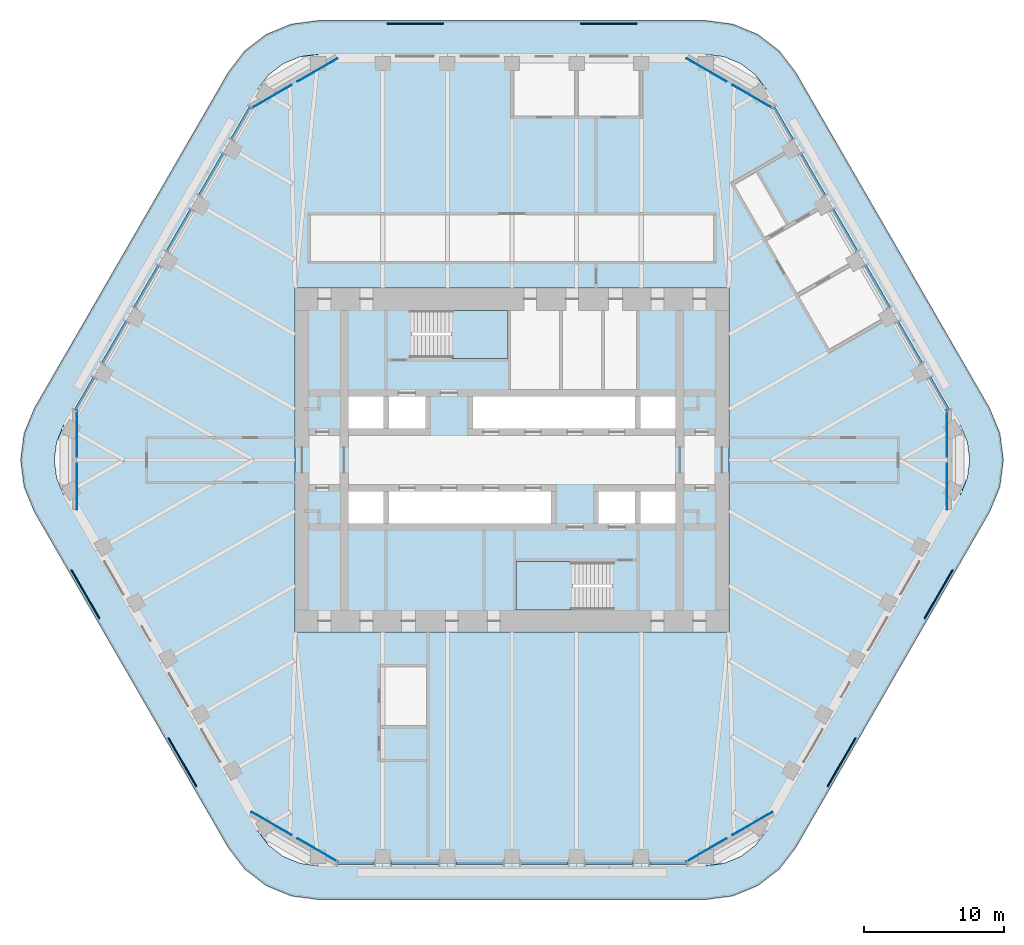
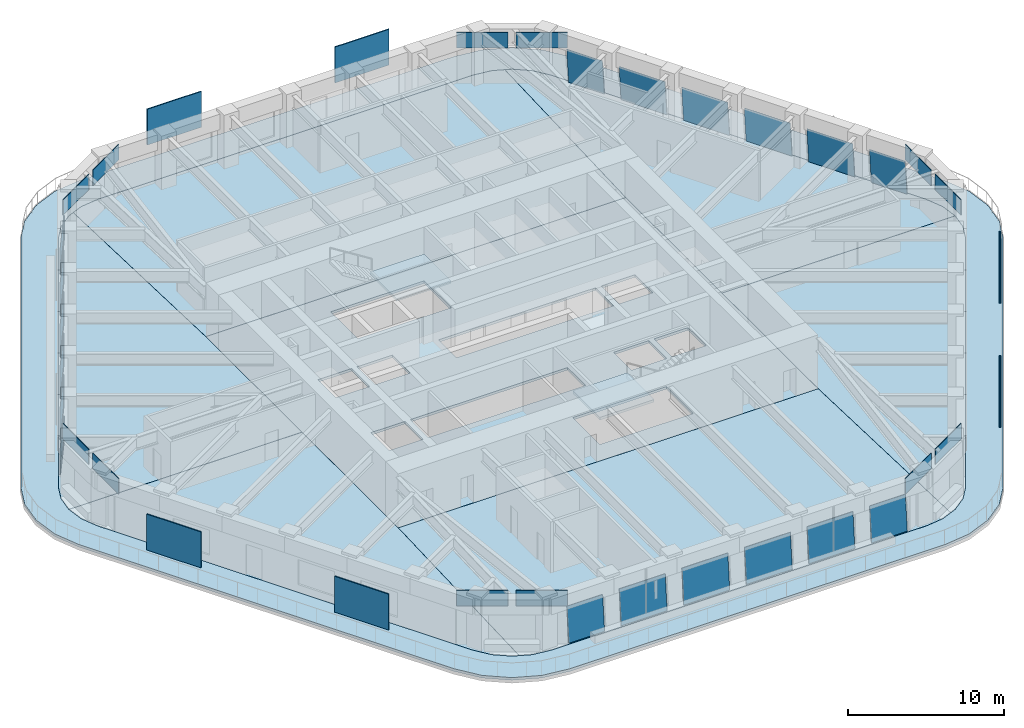
# One storey, part 13 of 20: 36 plates, 10 slabs, 20 elements without a shape of their own.
"""IFC4 building model written with IfcOpenShell, lengths in metres."""

from ifc_helpers import new_model, si_unit, direction, frame, origin, origin_2d, place, context, subcontext, project, spatial, polyline, rectangle, outline, extrude, material, layer, layer_set, type_object, element, aggregate, save


model = new_model("IFC4")

# Units and contexts
model_context = context("Model", 3, precision=1e-05, world=origin(), true_north=direction((0.0, 1.0)))
body_context = subcontext(model_context, "Body", "Model", "MODEL_VIEW")
ifc_project = project(units=[si_unit("LENGTHUNIT", "METRE"), si_unit("AREAUNIT", "SQUARE_METRE"), si_unit("VOLUMEUNIT", "CUBIC_METRE"), si_unit("PLANEANGLEUNIT", "RADIAN"), si_unit("MASSUNIT", "GRAM", prefix="KILO")], contexts=[model_context])

# Site, building, storey
site_placement = place(None, origin())
site = spatial("IfcSite", under=ifc_project, at=site_placement, CompositionType="ELEMENT")
building_placement = place(site_placement, origin())
building = spatial("IfcBuilding", under=site, at=building_placement, Name="Tarfa Lantern Tower", CompositionType="ELEMENT")
storey_placement = place(building_placement, frame((0.0, 0.0, 291.10009765625)))
storey = spatial("IfcBuildingStorey", under=building, at=storey_placement, Name="L66", CompositionType="ELEMENT", Elevation=291.10009765625)

# Slab
ifc_material_1 = material(Name="Concrete C40/50", Category="concrete")
ifc_layer_1 = layer(ifc_material_1, 0.199951171875)
ifc_layer_set_1 = layer_set([ifc_layer_1], Name="BS2 BALCONY SLAB 200")
slab_type_1 = type_object("IfcSlabType", Name="BS2 BALCONY SLAB 200", PredefinedType="FLOOR", material=ifc_layer_set_1)
slab_1_placement = place(storey_placement, frame((0.0, 0.0, -0.2001953125)))
element("IfcSlab", 1, at=slab_1_placement, inside=storey, type_object=slab_type_1, Name="Balcony L66", PredefinedType="FLOOR", context=body_context, shape_type="SweptSolid", body=[
    extrude(outline(polyline([(34.121337890625, 3.699951171875), (20.264892578125, 27.699951171875), (19.089111328125, 29.232666015625), (17.556396484375, 30.40869140625), (15.771728515625, 31.14794921875), (13.8564453125, 31.39990234375), (-13.8564453125, 31.39990234375), (-15.771728515625, 31.14794921875), (-17.556396484375, 30.40869140625), (-19.089111328125, 29.232666015625), (-20.264892578125, 27.699951171875), (-34.121337890625, 3.699951171875), (-34.860595703125, 1.915283203125), (-35.11279296875, 0.0), (-34.860595703125, -1.915283203125), (-34.121337890625, -3.699951171875), (-20.264892578125, -27.699951171875), (-19.089111328125, -29.232666015625), (-17.556396484375, -30.40869140625), (-15.771728515625, -31.14794921875), (-13.8564453125, -31.39990234375), (13.8564453125, -31.39990234375), (15.771728515625, -31.14794921875), (17.556396484375, -30.40869140625), (19.089111328125, -29.232666015625), (20.264892578125, -27.699951171875), (34.121337890625, -3.699951171875), (34.860595703125, -1.915283203125), (35.11279296875, 0.0), (34.860595703125, 1.915283203125), (34.121337890625, 3.699951171875)]), holes=[polyline([(32.04296875, 2.5), (18.1865234375, 26.5), (17.391845703125, 27.53564453125), (16.3564453125, 28.330078125), (15.150390625, 28.82958984375), (13.8564453125, 29.0), (-13.8564453125, 29.0), (-15.150390625, 28.82958984375), (-16.3564453125, 28.330078125), (-17.391845703125, 27.53564453125), (-18.1865234375, 26.5), (-32.04296875, 2.5), (-32.54248046875, 1.294189453125), (-32.712890625, 0.0), (-32.54248046875, -1.294189453125), (-32.04296875, -2.5), (-18.1865234375, -26.5), (-17.391845703125, -27.53564453125), (-16.3564453125, -28.330078125), (-15.150390625, -28.82958984375), (-13.8564453125, -29.0), (13.8564453125, -29.0), (15.150390625, -28.82958984375), (16.3564453125, -28.330078125), (17.391845703125, -27.53564453125), (18.1865234375, -26.5), (32.04296875, -2.5), (32.54248046875, -1.294189453125), (32.712890625, 0.0), (32.54248046875, 1.294189453125), (32.04296875, 2.5)])]), origin(), (0.0, 0.0, 1.0), 0.2001953125),
])

# Curtain wall, plate
ifc_material_2 = material(Name="Aluminium framed curtain wall", Category="aluminium")
curtain_wall_type = type_object("IfcCurtainWallType", Name="CW3 CANTED GLAZING HIGH ZONE 2800", PredefinedType="USERDEFINED", material=ifc_material_2)
curtain_wall_1_placement = place(storey_placement, origin())
curtain_wall_1 = element("IfcCurtainWall", 2, at=curtain_wall_1_placement, inside=storey, type_object=curtain_wall_type, Name="CW3 NE L66", ObjectType="CURTAIN WALL", PredefinedType="USERDEFINED")
ifc_material_3 = material(Name="Laminated double glazing", Category="glass")
ifc_layer_2 = layer(ifc_material_3, 0.028076171875)
ifc_layer_set_2 = layer_set([ifc_layer_2], Name="CWP1 DOUBLE GLAZED PANEL")
plate_type_1 = type_object("IfcPlateType", Name="CWP1 DOUBLE GLAZED PANEL", PredefinedType="CURTAIN_PANEL", material=ifc_layer_set_2)
plate_1_placement = place(storey_placement, frame((31.27392578125, 3.632080078125, 0.0), z_axis=(0.862595397554, 0.498012693738, 0.088952442318), x_axis=(-0.499995010193, 0.866028284625, 3.549236e-06)))
plate_1 = element("IfcPlate", 3, at=plate_1_placement, type_object=plate_type_1, Name="CW3 panel 1.1", PredefinedType="CURTAIN_PANEL", context=body_context, shape_type="SweptSolid", body=[
    extrude(outline(polyline([(0.0, 0.0), (2.6390048345855233, -1.3877787807814457e-17), (2.6390100335740354, 2.745738366666786), (0.00012726808279714185, 2.7457571736891175), (0.0, 0.0)])), origin(), (0.0, 0.0, -1.0), 0.028076171875),
])
aggregate(curtain_wall_1, [plate_1])

curtain_wall_2_placement = place(storey_placement, origin())
curtain_wall_2 = element("IfcCurtainWall", 4, at=curtain_wall_2_placement, inside=storey, type_object=curtain_wall_type, Name="CW3 NE L66", ObjectType="CURTAIN WALL", PredefinedType="USERDEFINED")
plate_2_placement = place(storey_placement, frame((29.33935546875, 6.982666015625, 0.0), z_axis=(0.862605502529, 0.498002012108, 0.088914244889), x_axis=(-0.499982299553, 0.866035622901, 0.0)))
plate_2 = element("IfcPlate", 5, at=plate_2_placement, type_object=plate_type_1, Name="CW3 panel 1.1", PredefinedType="CURTAIN_PANEL", context=body_context, shape_type="SweptSolid", body=[
    extrude(outline(polyline([(0.0, 0.0), (3.3887918412577953, 0.0), (3.3887837504284137, 2.745738368678829), (-8.090829381399156e-06, 2.7457383686788286), (0.0, 0.0)])), origin(), (0.0, 0.0, -1.0), 0.028076171875),
])
aggregate(curtain_wall_2, [plate_2])

curtain_wall_3_placement = place(storey_placement, origin())
curtain_wall_3 = element("IfcCurtainWall", 6, at=curtain_wall_3_placement, inside=storey, type_object=curtain_wall_type, Name="CW3 NE L66", ObjectType="CURTAIN WALL", PredefinedType="USERDEFINED")
plate_3_placement = place(storey_placement, frame((27.030029296875, 10.982666015625, 0.0), z_axis=(0.862605502529, 0.498002012108, 0.088914244889), x_axis=(-0.499982299553, 0.866035622901, 0.0)))
plate_3 = element("IfcPlate", 7, at=plate_3_placement, type_object=plate_type_1, Name="CW3 panel 1.1", PredefinedType="CURTAIN_PANEL", context=body_context, shape_type="SweptSolid", body=[
    extrude(outline(polyline([(0.0, 0.0), (3.3887918412577953, 0.0), (3.3887837504284137, 2.745738368678829), (-8.090829381399156e-06, 2.7457383686788286), (0.0, 0.0)])), origin(), (0.0, 0.0, -1.0), 0.028076171875),
])
aggregate(curtain_wall_3, [plate_3])

curtain_wall_4_placement = place(storey_placement, origin())
curtain_wall_4 = element("IfcCurtainWall", 8, at=curtain_wall_4_placement, inside=storey, type_object=curtain_wall_type, Name="CW3 NE L66", ObjectType="CURTAIN WALL", PredefinedType="USERDEFINED")
plate_4_placement = place(storey_placement, frame((24.720703125, 14.982666015625, 0.0), z_axis=(0.862587013078, 0.498027216061, 0.088952441962), x_axis=(-0.500009529551, 0.866019901821, 2.763824e-06)))
plate_4 = element("IfcPlate", 9, at=plate_4_placement, type_object=plate_type_1, Name="CW3 panel 1.1", PredefinedType="CURTAIN_PANEL", context=body_context, shape_type="SweptSolid", body=[
    extrude(outline(polyline([(0.0, 0.0), (3.3889139122087806, 0.0), (3.3889210562595617, 2.745738366662453), (0.0001292166898319516, 2.7457571735981454), (0.0, 0.0)])), origin(), (0.0, 0.0, -1.0), 0.028076171875),
])
aggregate(curtain_wall_4, [plate_4])

curtain_wall_5_placement = place(storey_placement, origin())
curtain_wall_5 = element("IfcCurtainWall", 10, at=curtain_wall_5_placement, inside=storey, type_object=curtain_wall_type, Name="CW3 NE L66", ObjectType="CURTAIN WALL", PredefinedType="USERDEFINED")
plate_5_placement = place(storey_placement, frame((22.4111328125, 18.982666015625, 0.0), z_axis=(0.862605502529, 0.498002012108, 0.088914244889), x_axis=(-0.499982299553, 0.866035622901, 0.0)))
plate_5 = element("IfcPlate", 11, at=plate_5_placement, type_object=plate_type_1, Name="CW3 panel 1.1", PredefinedType="CURTAIN_PANEL", context=body_context, shape_type="SweptSolid", body=[
    extrude(outline(polyline([(0.0, 0.0), (3.3887918412577953, 0.0), (3.3887837504284137, 2.745738368678829), (-8.090829381399156e-06, 2.7457383686788286), (0.0, 0.0)])), origin(), (0.0, 0.0, -1.0), 0.028076171875),
])
aggregate(curtain_wall_5, [plate_5])

curtain_wall_6_placement = place(storey_placement, origin())
curtain_wall_6 = element("IfcCurtainWall", 12, at=curtain_wall_6_placement, inside=storey, type_object=curtain_wall_type, Name="CW3 NE L66", ObjectType="CURTAIN WALL", PredefinedType="USERDEFINED")
plate_6_placement = place(storey_placement, frame((20.101806640625, 22.982666015625, 0.0), z_axis=(0.862595264809, 0.498019744768, 0.08891424493), x_axis=(-0.500000102728, 0.866025344474, 0.0)))
plate_6 = element("IfcPlate", 13, at=plate_6_placement, type_object=plate_type_1, Name="CW3 panel 1.1", PredefinedType="CURTAIN_PANEL", context=body_context, shape_type="SweptSolid", body=[
    extrude(outline(polyline([(0.0, 0.0), (2.638671332866802, -1.3877787807814457e-17), (2.638668260778366, 2.7457383686890307), (-3.0720884365148526e-06, 2.7457383686890307), (0.0, 0.0)])), origin(), (0.0, 0.0, -1.0), 0.028076171875),
])
aggregate(curtain_wall_6, [plate_6])

curtain_wall_7_placement = place(storey_placement, origin())
curtain_wall_7 = element("IfcCurtainWall", 14, at=curtain_wall_7_placement, inside=storey, type_object=curtain_wall_type, Name="CW3 NW L66", ObjectType="CURTAIN WALL", PredefinedType="USERDEFINED")
plate_7_placement = place(storey_placement, frame((-18.782470703125, 25.267822265625, 0.0), z_axis=(-0.862595264809, 0.498019744768, 0.08891424493), x_axis=(-0.500000102728, -0.866025344474, 0.0)))
plate_7 = element("IfcPlate", 15, at=plate_7_placement, type_object=plate_type_1, Name="CW3 panel 1.1", PredefinedType="CURTAIN_PANEL", context=body_context, shape_type="SweptSolid", body=[
    extrude(outline(polyline([(0.0, 0.0), (2.638671332866802, 1.3877787807814457e-17), (2.6386744049552386, 2.7457383686890307), (3.0720884365148526e-06, 2.7457383686890307), (0.0, 0.0)])), origin(), (0.0, 0.0, -1.0), 0.028076171875),
])
aggregate(curtain_wall_7, [plate_7])

curtain_wall_8_placement = place(storey_placement, origin())
curtain_wall_8 = element("IfcCurtainWall", 16, at=curtain_wall_8_placement, inside=storey, type_object=curtain_wall_type, Name="CW3 NW L66", ObjectType="CURTAIN WALL", PredefinedType="USERDEFINED")
plate_8_placement = place(storey_placement, frame((-20.716796875, 21.91748046875, 0.0), z_axis=(-0.862605502529, 0.498002012108, 0.088914244889), x_axis=(-0.499982299553, -0.866035622901, 0.0)))
plate_8 = element("IfcPlate", 17, at=plate_8_placement, type_object=plate_type_1, Name="CW3 panel 1.1", PredefinedType="CURTAIN_PANEL", context=body_context, shape_type="SweptSolid", body=[
    extrude(outline(polyline([(0.0, 0.0), (3.3887918412577953, 0.0), (3.3887999320871764, 2.7457383686788286), (8.090829381399156e-06, 2.7457383686788286), (0.0, 0.0)])), origin(), (0.0, 0.0, -1.0), 0.028076171875),
])
aggregate(curtain_wall_8, [plate_8])

curtain_wall_9_placement = place(storey_placement, origin())
curtain_wall_9 = element("IfcCurtainWall", 18, at=curtain_wall_9_placement, inside=storey, type_object=curtain_wall_type, Name="CW3 NW L66", ObjectType="CURTAIN WALL", PredefinedType="USERDEFINED")
plate_9_placement = place(storey_placement, frame((-23.026123046875, 17.91748046875, 0.0), z_axis=(-0.862587013078, 0.498027216061, 0.088952441962), x_axis=(-0.500009529551, -0.866019901821, -2.763824e-06)))
plate_9 = element("IfcPlate", 19, at=plate_9_placement, type_object=plate_type_1, Name="CW3 panel 1.1", PredefinedType="CURTAIN_PANEL", context=body_context, shape_type="SweptSolid", body=[
    extrude(outline(polyline([(0.0, 0.0), (3.3889139122087806, 0.0), (3.388784695518949, 2.7457571735981454), (-7.144050781360523e-06, 2.745738366662453), (0.0, 0.0)])), origin(), (0.0, 0.0, -1.0), 0.028076171875),
])
aggregate(curtain_wall_9, [plate_9])

curtain_wall_10_placement = place(storey_placement, origin())
curtain_wall_10 = element("IfcCurtainWall", 20, at=curtain_wall_10_placement, inside=storey, type_object=curtain_wall_type, Name="CW3 NW L66", ObjectType="CURTAIN WALL", PredefinedType="USERDEFINED")
plate_10_placement = place(storey_placement, frame((-25.335693359375, 13.91748046875, 0.0), z_axis=(-0.862605502529, 0.498002012108, 0.088914244889), x_axis=(-0.499982299553, -0.866035622901, 0.0)))
plate_10 = element("IfcPlate", 21, at=plate_10_placement, type_object=plate_type_1, Name="CW3 panel 1.1", PredefinedType="CURTAIN_PANEL", context=body_context, shape_type="SweptSolid", body=[
    extrude(outline(polyline([(0.0, 0.0), (3.3887918412577953, 0.0), (3.3887999320871764, 2.7457383686788286), (8.090829381399156e-06, 2.7457383686788286), (0.0, 0.0)])), origin(), (0.0, 0.0, -1.0), 0.028076171875),
])
aggregate(curtain_wall_10, [plate_10])

curtain_wall_11_placement = place(storey_placement, origin())
curtain_wall_11 = element("IfcCurtainWall", 22, at=curtain_wall_11_placement, inside=storey, type_object=curtain_wall_type, Name="CW3 NW L66", ObjectType="CURTAIN WALL", PredefinedType="USERDEFINED")
plate_11_placement = place(storey_placement, frame((-27.64501953125, 9.91748046875, 0.0), z_axis=(-0.862605502529, 0.498002012108, 0.088914244889), x_axis=(-0.499982299553, -0.866035622901, 0.0)))
plate_11 = element("IfcPlate", 23, at=plate_11_placement, type_object=plate_type_1, Name="CW3 panel 1.1", PredefinedType="CURTAIN_PANEL", context=body_context, shape_type="SweptSolid", body=[
    extrude(outline(polyline([(0.0, 0.0), (3.3887918412577953, 0.0), (3.3887999320871764, 2.7457383686788286), (8.090829381399156e-06, 2.7457383686788286), (0.0, 0.0)])), origin(), (0.0, 0.0, -1.0), 0.028076171875),
])
aggregate(curtain_wall_11, [plate_11])

curtain_wall_12_placement = place(storey_placement, origin())
curtain_wall_12 = element("IfcCurtainWall", 24, at=curtain_wall_12_placement, inside=storey, type_object=curtain_wall_type, Name="CW3 NW L66", ObjectType="CURTAIN WALL", PredefinedType="USERDEFINED")
plate_12_placement = place(storey_placement, frame((-29.954345703125, 5.91748046875, 0.0), z_axis=(-0.862595397554, 0.498012693738, 0.088952442318), x_axis=(-0.499995010193, -0.866028284625, -3.549236e-06)))
plate_12 = element("IfcPlate", 25, at=plate_12_placement, type_object=plate_type_1, Name="CW3 panel 1.1", PredefinedType="CURTAIN_PANEL", context=body_context, shape_type="SweptSolid", body=[
    extrude(outline(polyline([(0.0, 0.0), (2.6390048345855233, 1.3877787807814457e-17), (2.638877566502726, 2.7457571736891175), (-5.198988511782119e-06, 2.745738366666786), (0.0, 0.0)])), origin(), (0.0, 0.0, -1.0), 0.028076171875),
])
aggregate(curtain_wall_12, [plate_12])

curtain_wall_13_placement = place(storey_placement, origin())
curtain_wall_13 = element("IfcCurtainWall", 26, at=curtain_wall_13_placement, inside=storey, type_object=curtain_wall_type, Name="CW3 S L66", ObjectType="CURTAIN WALL", PredefinedType="USERDEFINED")
plate_13_placement = place(storey_placement, frame((-12.491455078125, -28.89990234375, 0.0), z_axis=(0.0, -0.996039111646, 0.08891618565), x_axis=(1.0, 0.0, 0.0)))
plate_13 = element("IfcPlate", 27, at=plate_13_placement, type_object=plate_type_1, Name="CW3 panel 1.1", PredefinedType="CURTAIN_PANEL", context=body_context, shape_type="SweptSolid", body=[
    extrude(outline(polyline([(0.0, 0.0), (2.638916015625, 0.0), (2.638916015625, 2.74573884626796), (0.0, 2.74573884626796), (0.0, 0.0)])), origin(), (0.0, 0.0, -1.0), 0.028076171875),
])
aggregate(curtain_wall_13, [plate_13])

curtain_wall_14_placement = place(storey_placement, origin())
curtain_wall_14 = element("IfcCurtainWall", 28, at=curtain_wall_14_placement, inside=storey, type_object=curtain_wall_type, Name="CW3 S L66", ObjectType="CURTAIN WALL", PredefinedType="USERDEFINED")
plate_14_placement = place(storey_placement, frame((-8.62255859375, -28.89990234375, 0.0), z_axis=(0.0, -0.996039111646, 0.08891618565), x_axis=(1.0, 0.0, 0.0)))
plate_14 = element("IfcPlate", 29, at=plate_14_placement, type_object=plate_type_1, Name="CW3 panel 1.1", PredefinedType="CURTAIN_PANEL", context=body_context, shape_type="SweptSolid", body=[
    extrude(outline(polyline([(0.0, 0.0), (3.388671875, 0.0), (3.388671875, 2.74573884626796), (0.0, 2.74573884626796), (0.0, 0.0)])), origin(), (0.0, 0.0, -1.0), 0.028076171875),
])
aggregate(curtain_wall_14, [plate_14])

curtain_wall_15_placement = place(storey_placement, origin())
curtain_wall_15 = element("IfcCurtainWall", 30, at=curtain_wall_15_placement, inside=storey, type_object=curtain_wall_type, Name="CW3 S L66", ObjectType="CURTAIN WALL", PredefinedType="USERDEFINED")
plate_15_placement = place(storey_placement, frame((-4.00390625, -28.89990234375, 0.0), z_axis=(0.0, -0.996039111646, 0.08891618565), x_axis=(1.0, 0.0, 0.0)))
plate_15 = element("IfcPlate", 31, at=plate_15_placement, type_object=plate_type_1, Name="CW3 panel 1.1", PredefinedType="CURTAIN_PANEL", context=body_context, shape_type="SweptSolid", body=[
    extrude(outline(polyline([(0.0, 0.0), (3.388916015625, 0.0), (3.388916015625, 2.7457388462679595), (0.0, 2.7457388462679595), (0.0, 0.0)])), origin(), (0.0, 0.0, -1.0), 0.028076171875),
])
aggregate(curtain_wall_15, [plate_15])

curtain_wall_16_placement = place(storey_placement, origin())
curtain_wall_16 = element("IfcCurtainWall", 32, at=curtain_wall_16_placement, inside=storey, type_object=curtain_wall_type, Name="CW3 S L66", ObjectType="CURTAIN WALL", PredefinedType="USERDEFINED")
plate_16_placement = place(storey_placement, frame((0.614990234375, -28.89990234375, 0.0), z_axis=(0.0, -0.996039111646, 0.08891618565), x_axis=(1.0, 0.0, 0.0)))
plate_16 = element("IfcPlate", 33, at=plate_16_placement, type_object=plate_type_1, Name="CW3 panel 1.1", PredefinedType="CURTAIN_PANEL", context=body_context, shape_type="SweptSolid", body=[
    extrude(outline(polyline([(0.0, 0.0), (3.388916015625, 0.0), (3.388916015625, 2.7457388462679595), (0.0, 2.7457388462679595), (0.0, 0.0)])), origin(), (0.0, 0.0, -1.0), 0.028076171875),
])
aggregate(curtain_wall_16, [plate_16])

curtain_wall_17_placement = place(storey_placement, origin())
curtain_wall_17 = element("IfcCurtainWall", 34, at=curtain_wall_17_placement, inside=storey, type_object=curtain_wall_type, Name="CW3 S L66", ObjectType="CURTAIN WALL", PredefinedType="USERDEFINED")
plate_17_placement = place(storey_placement, frame((5.23388671875, -28.89990234375, 0.0), z_axis=(0.0, -0.996039111646, 0.08891618565), x_axis=(1.0, 0.0, 0.0)))
plate_17 = element("IfcPlate", 35, at=plate_17_placement, type_object=plate_type_1, Name="CW3 panel 1.1", PredefinedType="CURTAIN_PANEL", context=body_context, shape_type="SweptSolid", body=[
    extrude(outline(polyline([(0.0, 0.0), (3.388671875, 0.0), (3.388671875, 2.74573884626796), (0.0, 2.74573884626796), (0.0, 0.0)])), origin(), (0.0, 0.0, -1.0), 0.028076171875),
])
aggregate(curtain_wall_17, [plate_17])

curtain_wall_18_placement = place(storey_placement, origin())
curtain_wall_18 = element("IfcCurtainWall", 36, at=curtain_wall_18_placement, inside=storey, type_object=curtain_wall_type, Name="CW3 S L66", ObjectType="CURTAIN WALL", PredefinedType="USERDEFINED")
plate_18_placement = place(storey_placement, frame((9.8525390625, -28.89990234375, 0.0), z_axis=(0.0, -0.996039111646, 0.08891618565), x_axis=(1.0, 0.0, 0.0)))
plate_18 = element("IfcPlate", 37, at=plate_18_placement, type_object=plate_type_1, Name="CW3 panel 1.1", PredefinedType="CURTAIN_PANEL", context=body_context, shape_type="SweptSolid", body=[
    extrude(outline(polyline([(0.0, 0.0), (2.638916015625, 0.0), (2.638916015625, 2.74573884626796), (0.0, 2.74573884626796), (0.0, 0.0)])), origin(), (0.0, 0.0, -1.0), 0.028076171875),
])
aggregate(curtain_wall_18, [plate_18])

# Slabs
ifc_layer_3 = layer(ifc_material_1, 0.199951171875)
ifc_layer_set_3 = layer_set([ifc_layer_3], Name="FS1 FLOOR SLAB 200")
slab_type_2 = type_object("IfcSlabType", Name="FS1 FLOOR SLAB 200", PredefinedType="FLOOR", material=ifc_layer_set_3)
slab_2_placement = place(storey_placement, frame((0.0, 0.0, -0.2001953125)))
element("IfcSlab", 38, at=slab_2_placement, inside=storey, type_object=slab_type_2, Name="Floor slab L66", PredefinedType="FLOOR", context=body_context, shape_type="SweptSolid", body=[
    extrude(outline(polyline([(-15.5, -12.300048828125), (15.5, -12.300048828125), (15.5, 12.300048828125), (-15.5, 12.300048828125), (-15.5, -12.300048828125)]), holes=[polyline([(-11.699951171875, 2.25), (-9.199951171875, 2.25), (-9.199951171875, 4.550048828125), (-11.699951171875, 4.550048828125), (-11.699951171875, 2.25)]), polyline([(-8.800048828125, 2.25), (-6.199951171875, 2.25), (-6.199951171875, 4.550048828125), (-8.800048828125, 4.550048828125), (-8.800048828125, 2.25)]), polyline([(-2.800048828125, 2.25), (8.800048828125, 2.25), (8.800048828125, 4.550048828125), (-2.800048828125, 4.550048828125), (-2.800048828125, 2.25)]), polyline([(9.199951171875, 2.25), (11.699951171875, 2.25), (11.699951171875, 4.550048828125), (9.199951171875, 4.550048828125), (9.199951171875, 2.25)]), polyline([(11.699951171875, -2.25), (9.199951171875, -2.25), (9.199951171875, -4.550048828125), (11.699951171875, -4.550048828125), (11.699951171875, -2.25)]), polyline([(8.800048828125, -2.25), (6.199951171875, -2.25), (6.199951171875, -4.550048828125), (8.800048828125, -4.550048828125), (8.800048828125, -2.25)]), polyline([(2.800048828125, -2.25), (-8.800048828125, -2.25), (-8.800048828125, -4.550048828125), (2.800048828125, -4.550048828125), (2.800048828125, -2.25)]), polyline([(-9.199951171875, -2.25), (-11.699951171875, -2.25), (-11.699951171875, -4.550048828125), (-9.199951171875, -4.550048828125), (-9.199951171875, -2.25)]), polyline([(-7.199951171875, 7.25), (-0.300048828125, 7.25), (-0.300048828125, 10.699951171875), (-7.199951171875, 10.699951171875), (-7.199951171875, 7.25)]), polyline([(7.199951171875, -7.25), (0.300048828125, -7.25), (0.300048828125, -10.699951171875), (7.199951171875, -10.699951171875), (7.199951171875, -7.25)])]), origin(), (0.0, 0.0, 1.0), 0.2001953125),
])
slab_3_placement = place(storey_placement, frame((0.0, 0.0, -0.2001953125)))
element("IfcSlab", 39, at=slab_3_placement, inside=storey, type_object=slab_type_2, Name="Floor slab L66 NE bay", PredefinedType="FLOOR", context=body_context, shape_type="SweptSolid", body=[
    extrude(outline(polyline([(32.041259765625, 2.4990234375), (18.184814453125, 26.498779296875), (17.390625, 27.5341796875), (16.35546875, 28.328369140625), (15.927490234375, 28.505615234375), (15.501953125, 12.300048828125), (15.501953125, 0.001953125), (32.71044921875, 0.001953125), (32.54052734375, 1.29345703125), (32.041259765625, 2.4990234375)])), origin(), (0.0, 0.0, 1.0), 0.2001953125),
])
slab_4_placement = place(storey_placement, frame((0.0, 0.0, -0.2001953125)))
element("IfcSlab", 40, at=slab_4_placement, inside=storey, type_object=slab_type_2, Name="Floor slab L66 N bay", PredefinedType="FLOOR", context=body_context, shape_type="SweptSolid", body=[
    extrude(outline(polyline([(-15.498046875, 12.302001953125), (15.498046875, 12.302001953125), (15.923583984375, 28.50732421875), (15.14990234375, 28.82763671875), (13.856201171875, 28.998046875), (-13.856201171875, 28.998046875), (-15.14990234375, 28.82763671875), (-15.923583984375, 28.50732421875), (-15.498046875, 12.302001953125)])), origin(), (0.0, 0.0, 1.0), 0.2001953125),
])
slab_5_placement = place(storey_placement, frame((0.0, 0.0, -0.2001953125)))
element("IfcSlab", 41, at=slab_5_placement, inside=storey, type_object=slab_type_2, Name="Floor slab L66 NW bay", PredefinedType="FLOOR", context=body_context, shape_type="SweptSolid", body=[
    extrude(outline(polyline([(-15.501953125, 0.001953125), (-15.501953125, 12.300048828125), (-15.927490234375, 28.505615234375), (-16.35546875, 28.328369140625), (-17.390625, 27.5341796875), (-18.184814453125, 26.498779296875), (-32.041259765625, 2.4990234375), (-32.54052734375, 1.29345703125), (-32.71044921875, 0.001953125), (-15.501953125, 0.001953125)])), origin(), (0.0, 0.0, 1.0), 0.2001953125),
])
slab_6_placement = place(storey_placement, frame((0.0, 0.0, -0.2001953125)))
element("IfcSlab", 42, at=slab_6_placement, inside=storey, type_object=slab_type_2, Name="Floor slab L66 SW bay", PredefinedType="FLOOR", context=body_context, shape_type="SweptSolid", body=[
    extrude(outline(polyline([(-15.501953125, -12.300048828125), (-15.501953125, -0.001953125), (-32.71044921875, -0.001953125), (-32.54052734375, -1.29345703125), (-32.041259765625, -2.4990234375), (-18.184814453125, -26.498779296875), (-17.390625, -27.5341796875), (-16.35546875, -28.328369140625), (-15.927490234375, -28.505615234375), (-15.501953125, -12.300048828125)])), origin(), (0.0, 0.0, 1.0), 0.2001953125),
])
slab_7_placement = place(storey_placement, frame((0.0, 0.0, -0.2001953125)))
element("IfcSlab", 43, at=slab_7_placement, inside=storey, type_object=slab_type_2, Name="Floor slab L66 S bay", PredefinedType="FLOOR", context=body_context, shape_type="SweptSolid", body=[
    extrude(outline(polyline([(15.498046875, -12.302001953125), (-15.498046875, -12.302001953125), (-15.923583984375, -28.50732421875), (-15.14990234375, -28.82763671875), (-13.856201171875, -28.998046875), (13.856201171875, -28.998046875), (15.14990234375, -28.82763671875), (15.923583984375, -28.50732421875), (15.498046875, -12.302001953125)])), origin(), (0.0, 0.0, 1.0), 0.2001953125),
])
slab_8_placement = place(storey_placement, frame((0.0, 0.0, -0.2001953125)))
element("IfcSlab", 44, at=slab_8_placement, inside=storey, type_object=slab_type_2, Name="Floor slab L66 SE bay", PredefinedType="FLOOR", context=body_context, shape_type="SweptSolid", body=[
    extrude(outline(polyline([(15.501953125, -0.001953125), (15.501953125, -12.300048828125), (15.927490234375, -28.505615234375), (16.35546875, -28.328369140625), (17.390625, -27.5341796875), (18.184814453125, -26.498779296875), (32.041259765625, -2.4990234375), (32.54052734375, -1.29345703125), (32.71044921875, -0.001953125), (15.501953125, -0.001953125)])), origin(), (0.0, 0.0, 1.0), 0.2001953125),
])

# Plates
ifc_material_4 = material(Name="Aluminium fascia panel", Category="aluminium")
ifc_layer_4 = layer(ifc_material_4, 0.050048828125)
ifc_layer_set_4 = layer_set([ifc_layer_4], Name="LF1 LOGGIA HEAD FASCIA 50")
plate_type_2 = type_object("IfcPlateType", Name="LF1 LOGGIA HEAD FASCIA 50", PredefinedType="USERDEFINED", material=ifc_layer_set_4)
for number, where, z_axis, x_axis, name in (
    (45, (17.18994140625, 25.972900390625, 2.7998046875), (0.0, 0.0, 1.0), (-0.866025403784, 0.5, 0.0), "Garden head fascia NE-N"),
    (46, (13.898193359375, 27.873291015625, 2.7998046875), (0.0, 0.0, 1.0), (-0.866025403784, 0.5, 0.0), "Garden head fascia NE-N"),
    (47, (-13.898193359375, 27.873291015625, 2.7998046875), (0.0, 0.0, 1.0), (-0.866025403784, -0.5, 0.0), "Garden head fascia N-NW"),
    (48, (-17.18994140625, 25.972900390625, 2.7998046875), (0.0, 0.0, 1.0), (-0.866025403784, -0.5, 0.0), "Garden head fascia N-NW"),
    (49, (-31.088134765625, 1.900390625, 2.7998046875), (0.0, 0.0, 1.0), (0.0, -1.0, 0.0), "Garden head fascia NW-SW"),
    (50, (-31.088134765625, -1.900390625, 2.7998046875), (0.0, 0.0, 1.0), (0.0, -1.0, 0.0), "Garden head fascia NW-SW"),
    (51, (-17.18994140625, -25.972900390625, 2.7998046875), (0.0, 0.0, 1.0), (0.866025403784, -0.5, 0.0), "Garden head fascia SW-S"),
    (52, (-13.898193359375, -27.873291015625, 2.7998046875), (0.0, 0.0, 1.0), (0.866025403784, -0.5, 0.0), "Garden head fascia SW-S"),
    (53, (13.898193359375, -27.873291015625, 2.7998046875), (0.0, 0.0, 1.0), (0.866025403784, 0.5, 0.0), "Garden head fascia S-SE"),
    (54, (17.18994140625, -25.972900390625, 2.7998046875), (0.0, 0.0, 1.0), (0.866025403784, 0.5, 0.0), "Garden head fascia S-SE"),
    (55, (31.088134765625, -1.900390625, 2.7998046875), (0.0, 0.0, 1.0), (0.0, 1.0, 0.0), "Garden head fascia SE-NE"),
    (56, (31.088134765625, 1.900390625, 2.7998046875), (0.0, 0.0, 1.0), (0.0, 1.0, 0.0), "Garden head fascia SE-NE"),
):
    element("IfcPlate", number, at=place(storey_placement, frame(where, z_axis=z_axis, x_axis=x_axis)), inside=storey, type_object=plate_type_2, Name=name, ObjectType="FASCIA", PredefinedType="USERDEFINED", context=body_context, shape_type="SweptSolid", body=[
        extrude(rectangle(XDim=3.30078125, YDim=0.050048828125, at=origin_2d()), origin(), (0.0, 0.0, 1.0), 1.199951171875),
    ])
ifc_material_5 = material(Name="Perforated limestone screen", Category="masonry")
ifc_layer_5 = layer(ifc_material_5, 0.080078125)
ifc_layer_set_5 = layer_set([ifc_layer_5], Name="SC1 STONE SCREEN 80")
plate_type_3 = type_object("IfcPlateType", Name="SC1 STONE SCREEN 80", PredefinedType="USERDEFINED", material=ifc_layer_set_5)
for number, where, z_axis, x_axis, name in (
    (57, (6.92822265625, 31.199951171875, 1.19970703125), (0.0, 0.0, 1.0), (-1.0, 0.0, 0.0), "Stone screen N 1"),
    (58, (-6.92822265625, 31.199951171875, 1.19970703125), (0.0, 0.0, 1.0), (-1.0, 0.0, 0.0), "Stone screen N 2"),
    (59, (-30.484130859375, -9.60009765625, 1.19970703125), (0.0, 0.0, 1.0), (0.5, -0.866025403784, 0.0), "Stone screen SW 1"),
    (60, (-23.555908203125, -21.60009765625, 1.19970703125), (0.0, 0.0, 1.0), (0.5, -0.866025403784, 0.0), "Stone screen SW 2"),
    (61, (23.555908203125, -21.60009765625, 1.19970703125), (0.0, 0.0, 1.0), (0.5, 0.866025403784, 0.0), "Stone screen SE 1"),
    (62, (30.484130859375, -9.60009765625, 1.19970703125), (0.0, 0.0, 1.0), (0.5, 0.866025403784, 0.0), "Stone screen SE 2"),
):
    element("IfcPlate", number, at=place(storey_placement, frame(where, z_axis=z_axis, x_axis=x_axis)), inside=storey, type_object=plate_type_3, Name=name, ObjectType="SCREEN", PredefinedType="USERDEFINED", context=body_context, shape_type="SweptSolid", body=[
        extrude(rectangle(XDim=4.0, YDim=0.080078125, at=origin_2d()), origin(), (0.0, 0.0, 1.0), 2.800048828125),
    ])

# Stair, slab
stair_type = type_object("IfcStairType", Name="ST-T10 HALF-TURN STAIR 4200 RISE", PredefinedType="HALF_TURN_STAIR", material=ifc_material_1)
stair_1_placement = place(storey_placement, origin())
stair_1 = element("IfcStair", 63, at=stair_1_placement, inside=storey, type_object=stair_type, Name="Stair ST1", PredefinedType="HALF_TURN_STAIR")
ifc_layer_6 = layer(ifc_material_1, 0.199951171875)
ifc_layer_set_6 = layer_set([ifc_layer_6], Name="SL1 STAIR LANDING 200")
slab_type_3 = type_object("IfcSlabType", Name="SL1 STAIR LANDING 200", PredefinedType="LANDING", material=ifc_layer_set_6)
slab_9_placement = place(storey_placement, frame((0.0, 0.0, 1.89990234375)))
slab_9 = element("IfcSlab", 64, at=slab_9_placement, type_object=slab_type_3, Name="ST1 landing 1", PredefinedType="LANDING", context=body_context, shape_type="SweptSolid", body=[
    extrude(outline(polyline([(-4.320068359375, 7.25), (-0.300048828125, 7.25), (-0.300048828125, 10.699951171875), (-4.320068359375, 10.699951171875), (-4.320068359375, 7.25)])), origin(), (0.0, 0.0, 1.0), 0.199951171875),
])
aggregate(stair_1, [slab_9])

stair_2_placement = place(storey_placement, origin())
stair_2 = element("IfcStair", 65, at=stair_2_placement, inside=storey, type_object=stair_type, Name="Stair ST2", PredefinedType="HALF_TURN_STAIR")
slab_10_placement = place(storey_placement, frame((0.0, 0.0, 1.89990234375)))
slab_10 = element("IfcSlab", 66, at=slab_10_placement, type_object=slab_type_3, Name="ST2 landing 1", PredefinedType="LANDING", context=body_context, shape_type="SweptSolid", body=[
    extrude(outline(polyline([(4.320068359375, -7.25), (0.300048828125, -7.25), (0.300048828125, -10.699951171875), (4.320068359375, -10.699951171875), (4.320068359375, -7.25)])), origin(), (0.0, 0.0, 1.0), 0.199951171875),
])
aggregate(stair_2, [slab_10])

save(model, "model.ifc")
